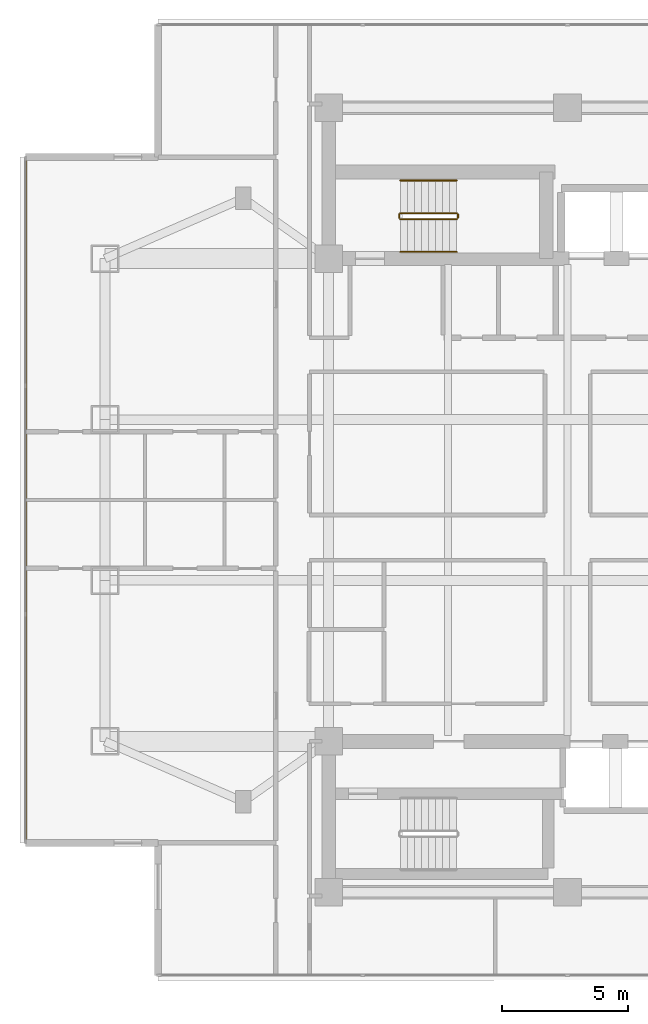
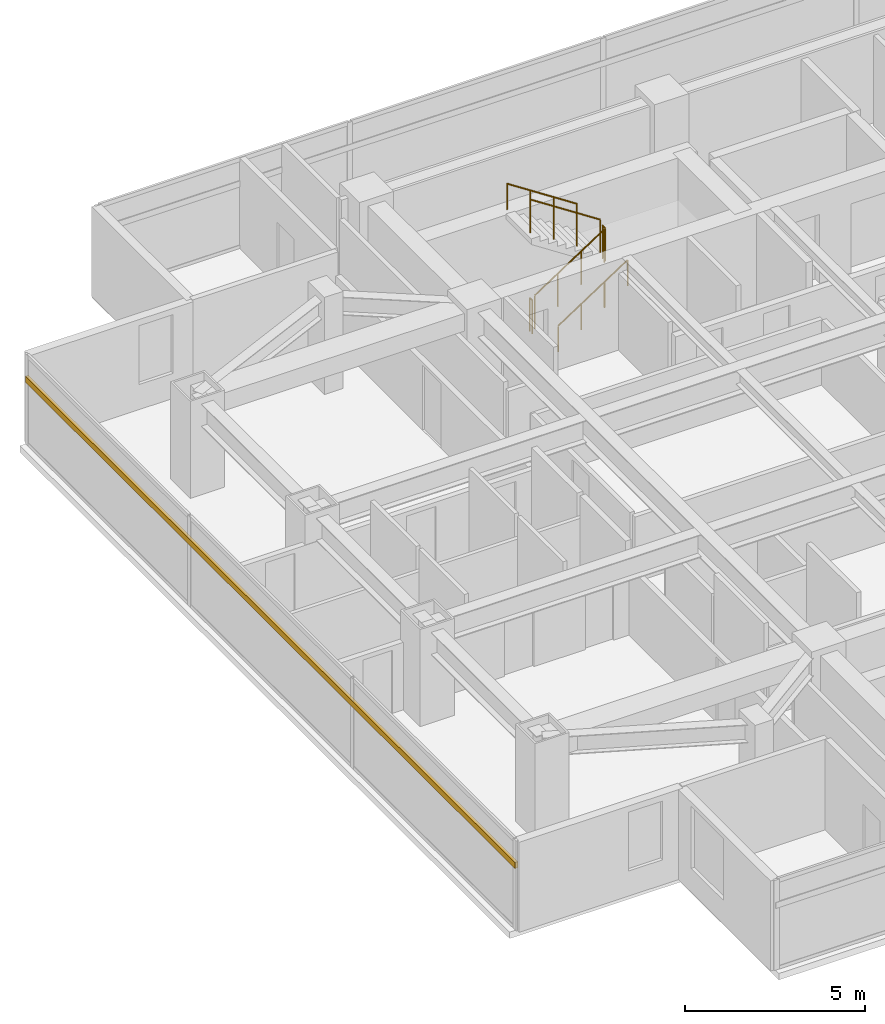
# One storey, part 20 of 24: 6 railings, 1 shading device.
"""IFC4 building model written with IfcOpenShell, lengths in metres."""

from ifc_helpers import new_model, si_unit, direction, frame, origin, origin_2d, place, context, subcontext, project, spatial, rectangle, circle, extrude, material, material_profile, profile_set, type_object, element, save


model = new_model("IFC4")

# Units and contexts
model_context = context("Model", 3, precision=1e-05, world=origin(), true_north=direction((0.0, 1.0)))
body_context = subcontext(model_context, "Body", "Model", "MODEL_VIEW")
ifc_project = project(units=[si_unit("LENGTHUNIT", "METRE"), si_unit("AREAUNIT", "SQUARE_METRE"), si_unit("VOLUMEUNIT", "CUBIC_METRE"), si_unit("PLANEANGLEUNIT", "RADIAN"), si_unit("MASSUNIT", "GRAM", prefix="KILO")], contexts=[model_context])

# Site, building, storey
site_placement = place(None, origin())
site = spatial("IfcSite", under=ifc_project, at=site_placement, CompositionType="ELEMENT")
building_placement = place(site_placement, origin())
building = spatial("IfcBuilding", under=site, at=building_placement, Name="Mirazonda Arch Towers", CompositionType="ELEMENT")
storey_placement = place(building_placement, frame((0.0, 0.0, 137.89990234375)))
storey = spatial("IfcBuildingStorey", under=building, at=storey_placement, Name="L39", CompositionType="ELEMENT", Elevation=137.89990234375)

# Shading device
ifc_material_1 = material(Name="Kiln-Fired Architectural Terracotta", Category="masonry")
ifc_material_profile = material_profile(ifc_material_1, rectangle(XDim=0.10009765625, YDim=0.199951171875, at=origin_2d()), Name="TERRA-BAG-100x200")
ifc_profile_set = profile_set([ifc_material_profile], Name="Kiln-Fired Architectural Terracotta")
shading_device_type = type_object("IfcShadingDeviceType", Name="BAGUETTE-2", PredefinedType="USERDEFINED", material=ifc_profile_set)
shading_device_placement = place(storey_placement, frame((-1.06005859375, 41.637939453125, 2.203369140625), z_axis=(0.0, -1.0, 0.0), x_axis=(1.0, 0.0, 0.0)))
element("IfcShadingDevice", 1, at=shading_device_placement, inside=storey, type_object=shading_device_type, Name="L39 Glazed Terracotta Sun-Screen Baguette CW-L39-T1-W", ObjectType="BAGUETTE", PredefinedType="USERDEFINED", context=body_context, shape_type="SweptSolid", body=[
    extrude(rectangle(XDim=0.10009765625, YDim=0.199951171875, at=origin_2d()), origin(), (0.0, 0.0, 1.0), 27.27587890625),
])

# Railings
ifc_material_2 = material(Name="Architectural Brushed Steel S355", Category="steel")
railing_type_1 = type_object("IfcRailingType", Name="GUARD-STAIR-1120", PredefinedType="GUARDRAIL", material=ifc_material_2)
railing_1_placement = place(storey_placement, frame((13.85009765625, 39.169921875, 0.183349609375)))
element("IfcRailing", 2, at=railing_1_placement, inside=storey, type_object=railing_type_1, Name="L39 ST-T1N stair guard 1", PredefinedType="GUARDRAIL", context=body_context, shape_type="SweptSolid", body=[
    extrude(circle(Radius=0.02392578125, at=origin_2d()), frame((0.0, 0.0, 1.1259765625), z_axis=(0.836595146698, 0.0, 0.547821650285), x_axis=(0.0, 1.0, 0.0)), (0.0, 0.0, 1.0), 2.677490234375),
    extrude(circle(Radius=0.02099609375, at=origin_2d()), origin(), (0.0, 0.0, 1.0), 1.101806640625),
    extrude(circle(Radius=0.02099609375, at=origin_2d()), frame((0.74658203125, 0.0, 0.489013671875)), (0.0, 0.0, 1.0), 1.101806640625),
    extrude(circle(Radius=0.02099609375, at=origin_2d()), frame((1.493408203125, 0.0, 0.977783203125)), (0.0, 0.0, 1.0), 1.101806640625),
    extrude(circle(Radius=0.02099609375, at=origin_2d()), frame((2.239990234375, 0.0, 1.466796875)), (0.0, 0.0, 1.0), 1.101806640625),
])
railing_2_placement = place(storey_placement, frame((16.139892578125, 39.219970703125, 1.650146484375)))
element("IfcRailing", 3, at=railing_2_placement, inside=storey, type_object=railing_type_1, Name="L39 ST-T1N stair guard 2", PredefinedType="GUARDRAIL", context=body_context, shape_type="SweptSolid", body=[
    extrude(circle(Radius=0.02392578125, at=origin_2d()), frame((0.0, 0.0, 1.1259765625), z_axis=(0.0, 1.0, 0.0), x_axis=(-1.0, 0.0, 0.0)), (0.0, 0.0, 1.0), 0.14013671875),
    extrude(circle(Radius=0.02099609375, at=origin_2d()), origin(), (0.0, 0.0, 1.0), 1.101806640625),
    extrude(circle(Radius=0.02099609375, at=origin_2d()), frame((0.0, 0.14013671875, 0.0)), (0.0, 0.0, 1.0), 1.101806640625),
])
railing_3_placement = place(storey_placement, frame((16.090087890625, 39.409912109375, 1.83349609375)))
element("IfcRailing", 4, at=railing_3_placement, inside=storey, type_object=railing_type_1, Name="L39 ST-T1N stair guard 3", PredefinedType="GUARDRAIL", context=body_context, shape_type="SweptSolid", body=[
    extrude(circle(Radius=0.02392578125, at=origin_2d()), frame((0.0, 0.0, 1.1259765625), z_axis=(-0.836636935527, 0.0, 0.547757827979), x_axis=(0.0, -1.0, 0.0)), (0.0, 0.0, 1.0), 2.677490234375),
    extrude(circle(Radius=0.02099609375, at=origin_2d()), origin(), (0.0, 0.0, 1.0), 1.101806640625),
    extrude(circle(Radius=0.02099609375, at=origin_2d()), frame((-0.74658203125, 0.0, 0.48876953125)), (0.0, 0.0, 1.0), 1.101806640625),
    extrude(circle(Radius=0.02099609375, at=origin_2d()), frame((-1.493408203125, 0.0, 0.977783203125)), (0.0, 0.0, 1.0), 1.101806640625),
    extrude(circle(Radius=0.02099609375, at=origin_2d()), frame((-2.239990234375, 0.0, 1.466552734375)), (0.0, 0.0, 1.0), 1.101806640625),
])
railing_4_placement = place(storey_placement, frame((13.800048828125, 39.219970703125, 0.0)))
element("IfcRailing", 5, at=railing_4_placement, inside=storey, type_object=railing_type_1, Name="L39 ST-T1N stair guard 4", PredefinedType="GUARDRAIL", context=body_context, shape_type="SweptSolid", body=[
    extrude(circle(Radius=0.02392578125, at=origin_2d()), frame((0.0, 0.0, 1.1259765625), z_axis=(0.0, 1.0, 0.0), x_axis=(-1.0, 0.0, 0.0)), (0.0, 0.0, 1.0), 0.14013671875),
    extrude(circle(Radius=0.02099609375, at=origin_2d()), origin(), (0.0, 0.0, 1.0), 1.101806640625),
    extrude(circle(Radius=0.02099609375, at=origin_2d()), frame((0.0, 0.14013671875, 0.0)), (0.0, 0.0, 1.0), 1.101806640625),
])
railing_type_2 = type_object("IfcRailingType", Name="HANDRAIL-915", PredefinedType="HANDRAIL", material=ifc_material_2)
railing_5_placement = place(storey_placement, frame((13.85009765625, 37.8701171875, 0.183349609375)))
element("IfcRailing", 6, at=railing_5_placement, inside=storey, type_object=railing_type_2, Name="L39 ST-T1N stair handrail 1", PredefinedType="HANDRAIL", context=body_context, shape_type="SweptSolid", body=[
    extrude(circle(Radius=0.02392578125, at=origin_2d()), frame((0.0, 0.0, 0.8759765625), z_axis=(0.836595146698, 0.0, 0.547821650285), x_axis=(0.0, 1.0, 0.0)), (0.0, 0.0, 1.0), 2.677490234375),
    extrude(circle(Radius=0.02099609375, at=origin_2d()), origin(), (0.0, 0.0, 1.0), 0.851806640625),
    extrude(circle(Radius=0.02099609375, at=origin_2d()), frame((0.74658203125, 0.0, 0.489013671875)), (0.0, 0.0, 1.0), 0.851806640625),
    extrude(circle(Radius=0.02099609375, at=origin_2d()), frame((1.493408203125, 0.0, 0.977783203125)), (0.0, 0.0, 1.0), 0.851806640625),
    extrude(circle(Radius=0.02099609375, at=origin_2d()), frame((2.239990234375, 0.0, 1.466796875)), (0.0, 0.0, 1.0), 0.851806640625),
])
railing_6_placement = place(storey_placement, frame((16.090087890625, 40.7099609375, 1.83349609375)))
element("IfcRailing", 7, at=railing_6_placement, inside=storey, type_object=railing_type_2, Name="L39 ST-T1N stair handrail 2", PredefinedType="HANDRAIL", context=body_context, shape_type="SweptSolid", body=[
    extrude(circle(Radius=0.02392578125, at=origin_2d()), frame((0.0, 0.0, 0.8759765625), z_axis=(-0.836636935527, 0.0, 0.547757827979), x_axis=(0.0, -1.0, 0.0)), (0.0, 0.0, 1.0), 2.677490234375),
    extrude(circle(Radius=0.02099609375, at=origin_2d()), origin(), (0.0, 0.0, 1.0), 0.851806640625),
    extrude(circle(Radius=0.02099609375, at=origin_2d()), frame((-0.74658203125, 0.0, 0.48876953125)), (0.0, 0.0, 1.0), 0.851806640625),
    extrude(circle(Radius=0.02099609375, at=origin_2d()), frame((-1.493408203125, 0.0, 0.977783203125)), (0.0, 0.0, 1.0), 0.851806640625),
    extrude(circle(Radius=0.02099609375, at=origin_2d()), frame((-2.239990234375, 0.0, 1.466552734375)), (0.0, 0.0, 1.0), 0.851806640625),
])

save(model, "model.ifc")
